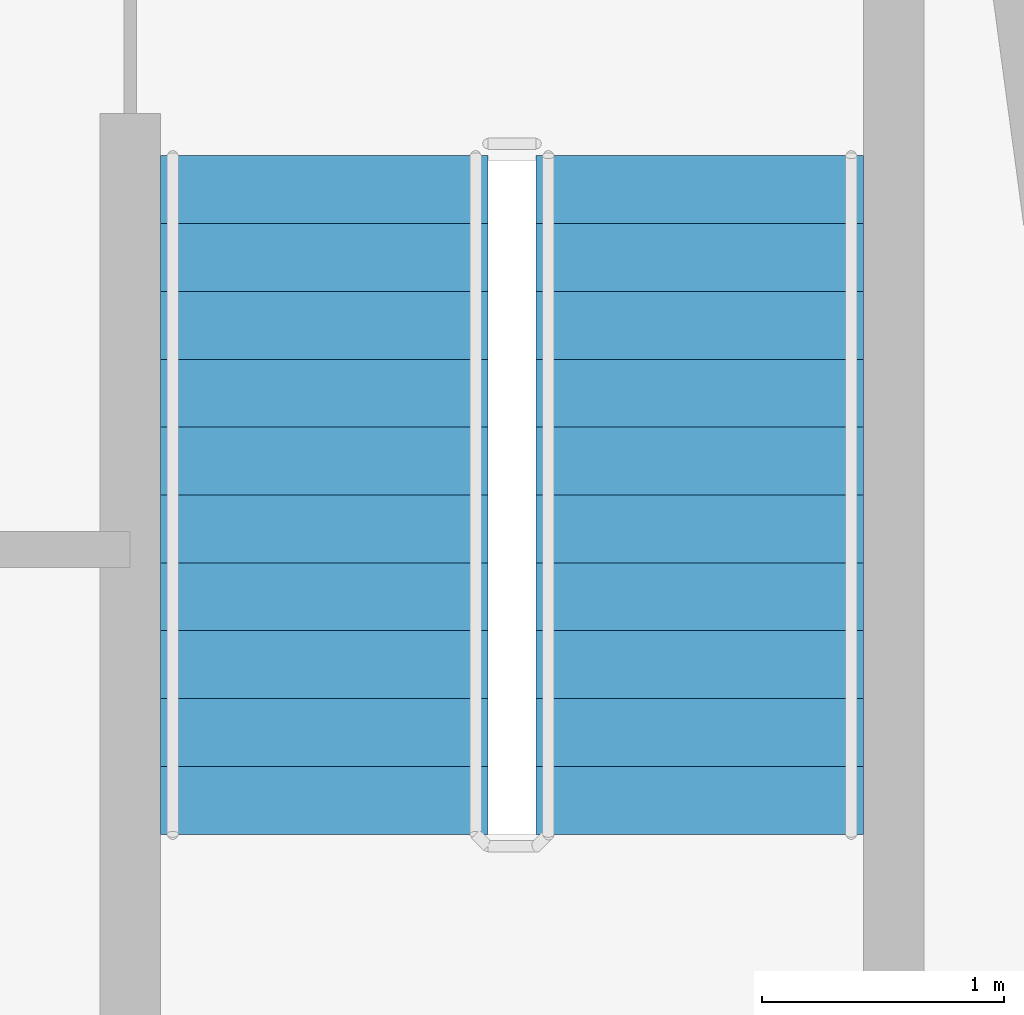
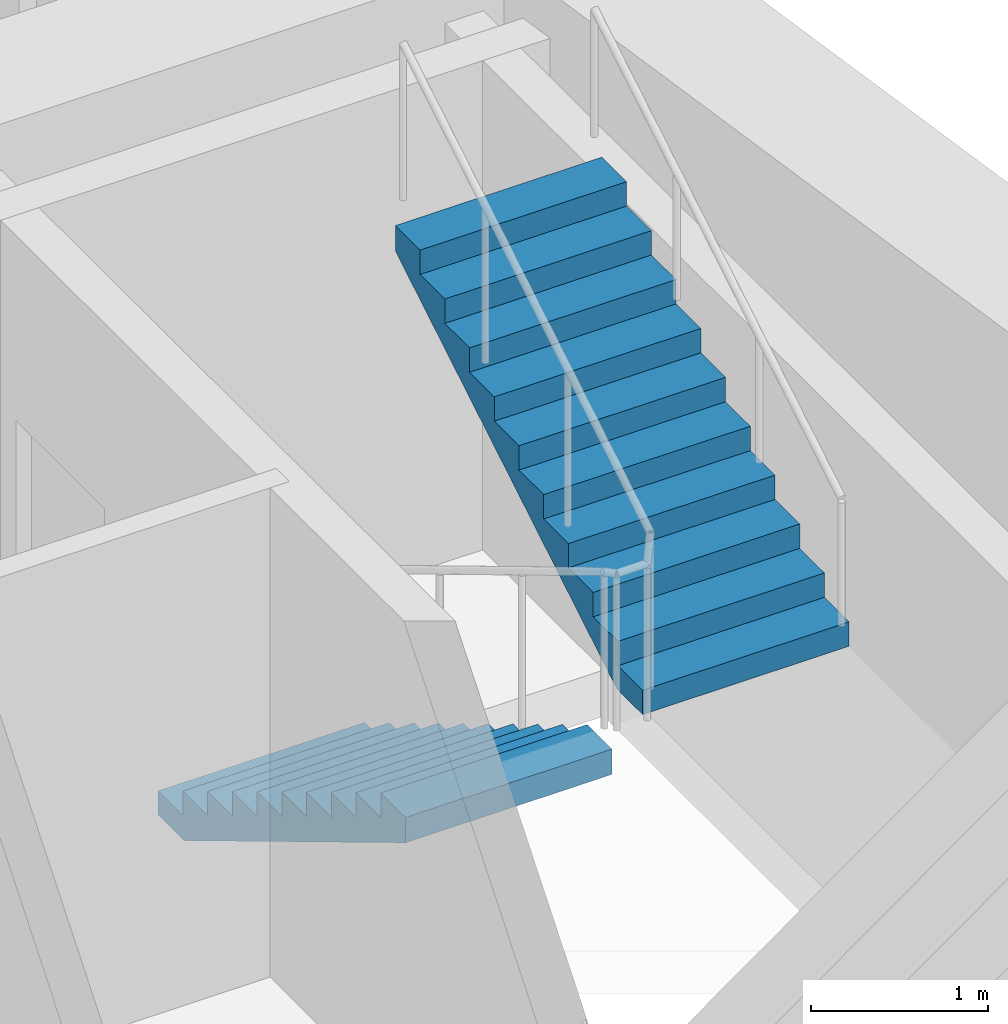
# One storey, part 8 of 13: 2 stair flights, 1 element without a shape of its own.
"""IFC4 building model written with IfcOpenShell, lengths in metres."""

from ifc_helpers import new_model, si_unit, direction, frame, origin, place, context, subcontext, project, spatial, polyline, outline, extrude, material, type_object, element, aggregate, save


model = new_model("IFC4")

# Units and contexts
model_context = context("Model", 3, precision=1e-05, world=origin(), true_north=direction((0.0, 1.0)))
body_context = subcontext(model_context, "Body", "Model", "MODEL_VIEW")
ifc_project = project(units=[si_unit("LENGTHUNIT", "METRE"), si_unit("AREAUNIT", "SQUARE_METRE"), si_unit("VOLUMEUNIT", "CUBIC_METRE"), si_unit("PLANEANGLEUNIT", "RADIAN"), si_unit("MASSUNIT", "GRAM", prefix="KILO")], contexts=[model_context])

# Site, building, storey
site_placement = place(None, origin())
site = spatial("IfcSite", under=ifc_project, at=site_placement, CompositionType="ELEMENT")
building_placement = place(site_placement, origin())
building = spatial("IfcBuilding", under=site, at=building_placement, Name="Candeia Pilgrim Tower and Theatre", CompositionType="ELEMENT")
storey_placement = place(building_placement, frame((0.0, 0.0, 158.89990234375)))
storey = spatial("IfcBuildingStorey", under=building, at=storey_placement, Name="L37", CompositionType="ELEMENT", Elevation=158.89990234375)

# Stair, stair flights
ifc_material = material(Name="Concrete C40/50", Category="concrete")
stair_type = type_object("IfcStairType", Name="ST-TWR dog-leg escape stair", PredefinedType="HALF_TURN_STAIR", material=ifc_material)
stair_placement = place(storey_placement, origin())
stair = element("IfcStair", 1, at=stair_placement, inside=storey, type_object=stair_type, Name="L37 Escape stair ST4", PredefinedType="HALF_TURN_STAIR")
stair_flight_type = type_object("IfcStairFlightType", Name="SFL-RC stair flight", PredefinedType="STRAIGHT", material=ifc_material)
stair_flight_1_placement = place(storey_placement, frame((134.77294921875, 129.72509765625, 0.0), z_axis=(0.0, 0.0, 1.0), x_axis=(0.0, -1.0, 0.0)))
stair_flight_1 = element("IfcStairFlight", 2, at=stair_flight_1_placement, type_object=stair_flight_type, Name="ST4 flight 1", NumberOfRisers=11, NumberOfTreads=10, PredefinedType="STRAIGHT", RiserHeight=0.168181818, TreadLength=0.28, context=body_context, shape_type="SweptSolid", body=[
    extrude(outline(polyline([(0.0, 0.0), (0.0, 0.168212890625), (0.280029296875, 0.168212890625), (0.280029296875, 0.33642578125), (0.56005859375, 0.33642578125), (0.56005859375, 0.504638671875), (0.840087890625, 0.504638671875), (0.840087890625, 0.672607421875), (1.1201171875, 0.672607421875), (1.1201171875, 0.8408203125), (1.39990234375, 0.8408203125), (1.39990234375, 1.009033203125), (1.679931640625, 1.009033203125), (1.679931640625, 1.17724609375), (1.9599609375, 1.17724609375), (1.9599609375, 1.345458984375), (2.239990234375, 1.345458984375), (2.239990234375, 1.513671875), (2.52001953125, 1.513671875), (2.52001953125, 1.681884765625), (2.800048828125, 1.681884765625), (2.800048828125, 1.85009765625), (2.800048828125, 1.5068359375), (0.291015625, 0.0), (0.0, 0.0)])), frame((0.0, 0.675048828125, 0.0), z_axis=(0.0, -1.0, 0.0), x_axis=(1.0, 0.0, 0.0)), (0.0, 0.0, 1.0), 1.35009765625),
])
stair_flight_2_placement = place(storey_placement, frame((136.322998046875, 126.925048828125, 1.85009765625), z_axis=(0.0, 0.0, 1.0), x_axis=(0.0, 1.0, 0.0)))
stair_flight_2 = element("IfcStairFlight", 3, at=stair_flight_2_placement, type_object=stair_flight_type, Name="ST4 flight 2", NumberOfRisers=11, NumberOfTreads=10, PredefinedType="STRAIGHT", RiserHeight=0.168181818, TreadLength=0.28, context=body_context, shape_type="SweptSolid", body=[
    extrude(outline(polyline([(0.0, 0.0), (0.0, 0.168212890625), (0.280029296875, 0.168212890625), (0.280029296875, 0.33642578125), (0.56005859375, 0.33642578125), (0.56005859375, 0.504638671875), (0.840087890625, 0.504638671875), (0.840087890625, 0.672607421875), (1.1201171875, 0.672607421875), (1.1201171875, 0.8408203125), (1.39990234375, 0.8408203125), (1.39990234375, 1.009033203125), (1.679931640625, 1.009033203125), (1.679931640625, 1.17724609375), (1.9599609375, 1.17724609375), (1.9599609375, 1.345458984375), (2.239990234375, 1.345458984375), (2.239990234375, 1.513671875), (2.52001953125, 1.513671875), (2.52001953125, 1.681884765625), (2.800048828125, 1.681884765625), (2.800048828125, 1.85009765625), (2.800048828125, 1.5068359375), (0.291015625, 0.0), (0.0, 0.0)])), frame((0.0, 0.675048828125, 0.0), z_axis=(0.0, -1.0, 0.0), x_axis=(1.0, 0.0, 0.0)), (0.0, 0.0, 1.0), 1.35009765625),
])
aggregate(stair, [stair_flight_1, stair_flight_2])

save(model, "model.ifc")
